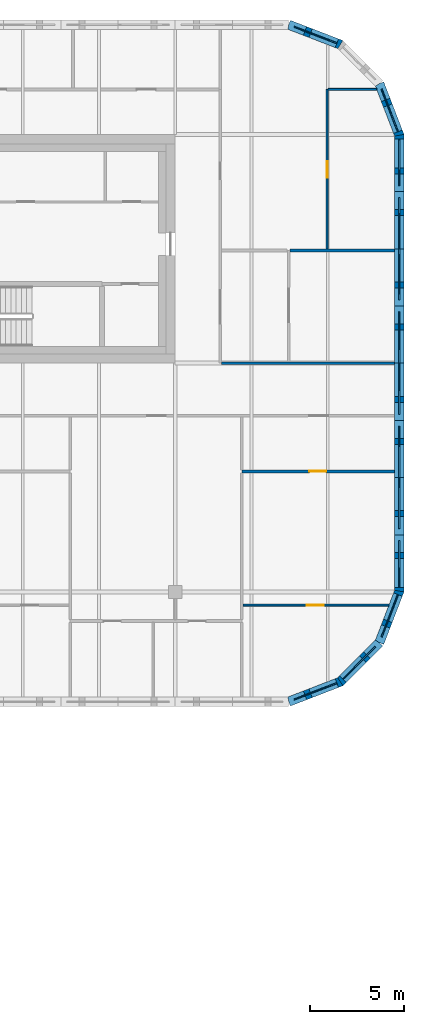
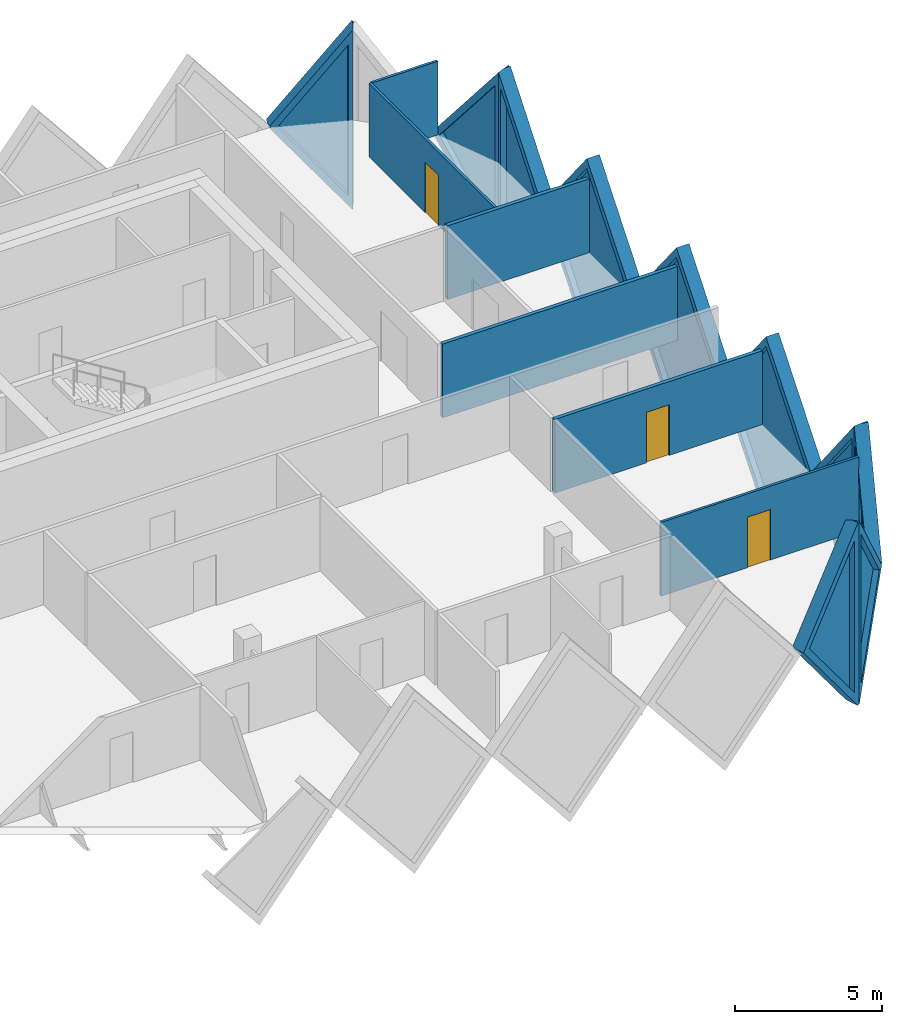
# One storey, part 16 of 19: 16 walls, 10 plates, 3 doors, 13 openings.
"""IFC4 building model written with IfcOpenShell, lengths in metres."""

from ifc_helpers import new_model, si_unit, direction, frame, frame_2d, origin, place, context, subcontext, project, spatial, polyline, rectangle, outline, extrude, faceted_brep, source, transform, mapped, material, layer, layer_set, type_object, element, fill, save


model = new_model("IFC4")

# Units and contexts
model_context = context("Model", 3, precision=1e-05, world=origin(), true_north=direction((0.0, 1.0)))
body_context = subcontext(model_context, "Body", "Model", "MODEL_VIEW")
ifc_project = project(units=[si_unit("LENGTHUNIT", "METRE"), si_unit("AREAUNIT", "SQUARE_METRE"), si_unit("VOLUMEUNIT", "CUBIC_METRE"), si_unit("PLANEANGLEUNIT", "RADIAN"), si_unit("MASSUNIT", "GRAM", prefix="KILO")], contexts=[model_context])

# Site, building, storey
site_placement = place(None, origin())
site = spatial("IfcSite", under=ifc_project, at=site_placement, CompositionType="ELEMENT")
building_placement = place(site_placement, origin())
building = spatial("IfcBuilding", under=site, at=building_placement, Name="Tessera Gate Towers", CompositionType="ELEMENT")
storey_placement = place(building_placement, frame((0.0, 0.0, 72.39990234375)))
storey = spatial("IfcBuildingStorey", under=building, at=storey_placement, Name="L17", CompositionType="ELEMENT", Elevation=72.39990234375)

# Wall
ifc_material_1 = material(Name="Gypsum board on steel studs, mineral wool", Category="steel")
ifc_layer_1 = layer(ifc_material_1, 0.14990234375)
ifc_layer_set_1 = layer_set([ifc_layer_1], Name="CORRIDOR WALL 150")
wall_type_1 = type_object("IfcWallType", Name="CORRIDOR WALL 150", PredefinedType="PARTITIONING", material=ifc_layer_set_1)
wall_1_placement = place(storey_placement, frame((124.47607421875, 36.60009765625, 0.0), z_axis=(0.0, 0.0, 1.0), x_axis=(1.0, 0.0, 0.0)))
element("IfcWall", 1, at=wall_1_placement, inside=storey, type_object=wall_type_1, Name="T2-L17-PW-031", PredefinedType="PARTITIONING", context=body_context, shape_type="SweptSolid", body=[
    extrude(rectangle(XDim=9.223876953125, YDim=0.14990234375, at=frame_2d((4.61181640625, 0.0))), origin(), (0.0, 0.0, 1.0), 3.067138671875),
])

# Wall, opening, door
ifc_material_2 = material(Name="Glass", Category="glass")
ifc_layer_2 = layer(ifc_material_2, 0.10009765625)
ifc_layer_set_2 = layer_set([ifc_layer_2], Name="GLAZED PARTITION 100")
wall_type_2 = type_object("IfcWallType", Name="GLAZED PARTITION 100", PredefinedType="PARTITIONING", material=ifc_layer_set_2)
wall_2_placement = place(storey_placement, frame((130.10009765625, 51.199951171875, 0.0), z_axis=(0.0, 0.0, 1.0), x_axis=(0.0, -1.0, 0.0)))
wall_2 = element("IfcWall", 2, at=wall_2_placement, inside=storey, type_object=wall_type_2, Name="T2-L17-PW-038", PredefinedType="PARTITIONING", context=body_context, shape_type="SweptSolid", body=[
    extrude(rectangle(XDim=8.52392578125, YDim=0.10009765625, at=frame_2d((4.261962890625, 0.0))), origin(), (0.0, 0.0, 1.0), 3.067138671875),
])
shared_shape_1 = source(origin(), body_context, "Body", "SweptSolid", [
    extrude(rectangle(XDim=0.89990234375, YDim=2.10009765625, at=frame_2d((0.449951171875, 1.050048828125))), frame((0.0, 0.06005859375, 0.0), z_axis=(0.0, -1.0, 0.0), x_axis=(1.0, 0.0, 0.0)), (0.0, 0.0, 1.0), 0.1201171875),
])
opening_1_placement = place(wall_2_placement, frame((3.823974609375, 0.0, 0.0)))
opening_1 = element("IfcOpeningElement", 3, at=opening_1_placement, cuts=wall_2, Name="Opening D690-B07-03", PredefinedType="OPENING", context=body_context, shape_type="MappedRepresentation", body=[
    mapped(shared_shape_1, transform((0.0, 0.0, 0.0), scale=1.0)),
])
ifc_material_3 = material(Name="Glass in aluminium frame", Category="aluminium")
door_type_1 = type_object("IfcDoorType", Name="GLAZED DOOR 900 NOT RATED", OperationType="NOTDEFINED", PredefinedType="DOOR", material=ifc_material_3)
shared_shape_2 = source(origin(), body_context, "Body", "SweptSolid", [
    extrude(rectangle(XDim=0.89990234375, YDim=2.10009765625, at=frame_2d((0.449951171875, 1.050048828125))), frame((0.0, 0.02490234375, 0.0), z_axis=(0.0, -1.0, 0.0), x_axis=(1.0, 0.0, 0.0)), (0.0, 0.0, 1.0), 0.050048828125),
])
door_1_placement = place(opening_1_placement, origin())
door_1 = element("IfcDoor", 4, at=door_1_placement, inside=storey, type_object=door_type_1, Name="T2-L17-PD-026", OperationType="SINGLE_SWING_RIGHT", OverallHeight=2.10009765625, OverallWidth=0.89990234375, PredefinedType="DOOR", context=body_context, shape_type="MappedRepresentation", body=[
    mapped(shared_shape_2, transform((0.0, 0.0, 0.0), scale=1.0)),
])
fill(opening_1, door_1)

# Wall
wall_3_placement = place(storey_placement, frame((130.15087890625, 51.199951171875, 0.0), z_axis=(0.0, 0.0, 1.0), x_axis=(1.0, 0.0, 0.0)))
element("IfcWall", 5, at=wall_3_placement, inside=storey, type_object=wall_type_2, Name="T2-L17-PW-048", PredefinedType="PARTITIONING", context=body_context, shape_type="SweptSolid", body=[
    extrude(rectangle(XDim=2.58740234375, YDim=0.10009765625, at=frame_2d((1.293701171875, 0.0))), origin(), (0.0, 0.0, 1.0), 3.067138671875),
])

# Wall, opening, door
ifc_material_4 = material(Name="Gypsum board on steel studs", Category="steel")
ifc_layer_3 = layer(ifc_material_4, 0.10009765625)
ifc_layer_set_3 = layer_set([ifc_layer_3], Name="PARTITION 100")
wall_type_3 = type_object("IfcWallType", Name="PARTITION 100", PredefinedType="PARTITIONING", material=ifc_layer_set_3)
wall_4_placement = place(storey_placement, frame((133.39404296875, 23.699951171875, 0.0), z_axis=(0.0, 0.0, 1.0), x_axis=(-1.0, 0.0, 0.0)))
wall_4 = element("IfcWall", 6, at=wall_4_placement, inside=storey, type_object=wall_type_3, Name="T2-L17-PW-018", PredefinedType="PARTITIONING", context=body_context, shape_type="SweptSolid", body=[
    extrude(rectangle(XDim=7.76806640625, YDim=0.10009765625, at=frame_2d((3.884033203125, 0.0))), origin(), (0.0, 0.0, 1.0), 3.067138671875),
])
opening_2_placement = place(wall_4_placement, frame((3.468017578125, 0.0, 0.0)))
opening_2 = element("IfcOpeningElement", 7, at=opening_2_placement, cuts=wall_4, Name="Opening D190-B07-09", PredefinedType="OPENING", context=body_context, shape_type="MappedRepresentation", body=[
    mapped(shared_shape_1, transform((0.0, 0.0, 0.0), scale=1.0)),
])
ifc_material_5 = material(Name="Timber door leaf in steel frame", Category="steel")
door_type_2 = type_object("IfcDoorType", Name="INTERNAL DOOR 900 NOT RATED", OperationType="NOTDEFINED", PredefinedType="DOOR", material=ifc_material_5)
door_2_placement = place(opening_2_placement, origin())
door_2 = element("IfcDoor", 8, at=door_2_placement, inside=storey, type_object=door_type_2, Name="T2-L17-PD-014", OperationType="SINGLE_SWING_RIGHT", OverallHeight=2.10009765625, OverallWidth=0.89990234375, PredefinedType="DOOR", context=body_context, shape_type="MappedRepresentation", body=[
    mapped(shared_shape_2, transform((0.0, 0.0, 0.0), scale=1.0)),
])
fill(opening_2, door_2)

ifc_material_6 = material(Name="Gypsum board on steel studs, mineral wool", Category="steel")
ifc_layer_4 = layer(ifc_material_6, 0.14990234375)
ifc_layer_set_4 = layer_set([ifc_layer_4], Name="TENANCY WALL 150")
wall_type_4 = type_object("IfcWallType", Name="TENANCY WALL 150", PredefinedType="PARTITIONING", material=ifc_layer_set_4)
wall_5_placement = place(storey_placement, frame((133.699951171875, 30.824951171875, 0.0), z_axis=(0.0, 0.0, 1.0), x_axis=(-1.0, 0.0, 0.0)))
wall_5 = element("IfcWall", 9, at=wall_5_placement, inside=storey, type_object=wall_type_4, Name="T2-L17-PW-023", PredefinedType="PARTITIONING", context=body_context, shape_type="SweptSolid", body=[
    extrude(rectangle(XDim=8.14990234375, YDim=0.14990234375, at=frame_2d((4.074951171875, 0.0))), origin(), (0.0, 0.0, 1.0), 3.067138671875),
])
shared_shape_3 = source(origin(), body_context, "Body", "SweptSolid", [
    extrude(rectangle(XDim=0.89990234375, YDim=2.10009765625, at=frame_2d((0.449951171875, 1.050048828125))), frame((0.0, 0.0849609375, 0.0), z_axis=(0.0, -1.0, 0.0), x_axis=(1.0, 0.0, 0.0)), (0.0, 0.0, 1.0), 0.169921875),
])
opening_3_placement = place(wall_5_placement, frame((3.64990234375, 0.0, 0.0)))
opening_3 = element("IfcOpeningElement", 10, at=opening_3_placement, cuts=wall_5, Name="Opening D190-B07-11", PredefinedType="OPENING", context=body_context, shape_type="MappedRepresentation", body=[
    mapped(shared_shape_3, transform((0.0, 0.0, 0.0), scale=1.0)),
])
door_3_placement = place(opening_3_placement, origin())
door_3 = element("IfcDoor", 11, at=door_3_placement, inside=storey, type_object=door_type_2, Name="T2-L17-PD-019", OperationType="SINGLE_SWING_RIGHT", OverallHeight=2.10009765625, OverallWidth=0.89990234375, PredefinedType="DOOR", context=body_context, shape_type="MappedRepresentation", body=[
    mapped(shared_shape_2, transform((0.0, 0.0, 0.0), scale=1.0)),
])
fill(opening_3, door_3)

# Wall
wall_6_placement = place(storey_placement, frame((128.1259765625, 42.60009765625, 0.0), z_axis=(0.0, 0.0, 1.0), x_axis=(1.0, 0.0, 0.0)))
element("IfcWall", 12, at=wall_6_placement, inside=storey, type_object=wall_type_4, Name="T2-L17-PW-037", PredefinedType="PARTITIONING", context=body_context, shape_type="SweptSolid", body=[
    extrude(rectangle(XDim=5.573974609375, YDim=0.14990234375, at=frame_2d((2.787109375, 0.0))), origin(), (0.0, 0.0, 1.0), 3.067138671875),
])

# Wall, opening, plate
ifc_material_7 = material(Name="Precast concrete C60/75 white", Category="concrete")
ifc_layer_5 = layer(ifc_material_7, 0.5)
ifc_layer_set_5 = layer_set([ifc_layer_5], Name="TS3 corner tessera")
wall_type_5 = type_object("IfcWallType", Name="TS3 corner tessera", PredefinedType="SOLIDWALL", material=ifc_layer_set_5)
shared_shape_4 = source(origin(), body_context, "Body", "Brep", [
    faceted_brep([(0.046630859375, -0.25, 0.0), (3.050048828125, -0.25, 3.7998046875), (0.046630859375, -0.25, 7.599853515625), (0.0, -0.25, 7.539794921875), (0.0, -0.25, 0.06005859375), (0.09326171875, 0.25, 7.541015625), (3.050048828125, 0.25, 3.7998046875), (0.09326171875, 0.25, 0.058837890625), (0.046630859375, 0.0, 0.0), (0.046630859375, 0.0, 7.599853515625)], [[[0, 1, 2, 3, 4]], [[5, 6, 7]], [[7, 6, 1, 0, 8]], [[6, 5, 9, 2, 1]], [[3, 2, 9]], [[8, 0, 4]], [[7, 8, 4, 3, 9, 5]]]),
])
wall_7_placement = place(storey_placement, frame((133.949951171875, 24.39990234375, -3.7998046875), z_axis=(0.0, 0.0, 1.0), x_axis=(0.0, 1.0, 0.0)))
wall_7 = element("IfcWall", 13, at=wall_7_placement, inside=storey, type_object=wall_type_5, Name="Precast corner tessera T2 TS3-0244", PredefinedType="SOLIDWALL", context=body_context, shape_type="MappedRepresentation", body=[
    mapped(shared_shape_4, transform((0.0, 0.0, 0.0), scale=1.0)),
])
shared_shape_5 = source(origin(), body_context, "Body", "SweptSolid", [
    extrude(outline(polyline([(0.24658203125, 0.656005859375), (2.7314453125, 3.7998046875), (0.24658203125, 6.943603515625), (0.24658203125, 0.656005859375)])), frame((0.0, 0.260009765625, 0.0), z_axis=(0.0, -1.0, 0.0), x_axis=(1.0, 0.0, 0.0)), (0.0, 0.0, 1.0), 0.52001953125),
])
opening_4_placement = place(wall_7_placement, origin())
opening_4 = element("IfcOpeningElement", 14, at=opening_4_placement, cuts=wall_7, Name="Opening T2-PL2-0349", PredefinedType="OPENING", context=body_context, shape_type="MappedRepresentation", body=[
    mapped(shared_shape_5, transform((0.0, 0.0, 0.0), scale=1.0)),
])
ifc_material_8 = material(Name="Low-e laminated glass", Category="glass")
ifc_layer_6 = layer(ifc_material_8, 0.06005859375)
ifc_layer_set_6 = layer_set([ifc_layer_6], Name="PL2 rhombic pane")
plate_type = type_object("IfcPlateType", Name="PL2 rhombic pane", PredefinedType="SHEET", material=ifc_layer_set_6)
shared_shape_6 = source(origin(), body_context, "Body", "SweptSolid", [
    extrude(outline(polyline([(0.24658203125, 0.656005859375), (2.7314453125, 3.7998046875), (0.24658203125, 6.943603515625), (0.24658203125, 0.656005859375)])), frame((0.0, 0.030029296875, 0.0), z_axis=(0.0, -1.0, 0.0), x_axis=(1.0, 0.0, 0.0)), (0.0, 0.0, 1.0), 0.06005859375),
])
plate_1_placement = place(opening_4_placement, origin())
plate_1 = element("IfcPlate", 15, at=plate_1_placement, inside=storey, type_object=plate_type, Name="Glass pane T2 PL2-0349", PredefinedType="SHEET", context=body_context, shape_type="MappedRepresentation", body=[
    mapped(shared_shape_6, transform((0.0, 0.0, 0.0), scale=1.0)),
])
fill(opening_4, plate_1)

ifc_material_9 = material(Name="Precast concrete C60/75 white", Category="concrete")
ifc_layer_7 = layer(ifc_material_9, 0.5)
ifc_layer_set_7 = layer_set([ifc_layer_7], Name="TS1 tessera")
wall_type_6 = type_object("IfcWallType", Name="TS1 tessera", PredefinedType="SOLIDWALL", material=ifc_layer_set_7)
shared_shape_7 = source(origin(), body_context, "Body", "Brep", [
    faceted_brep([(3.050048828125, -0.25, 0.0), (6.099853515625, -0.25, 3.799560546875), (6.099853515625, -0.25, 3.800048828125), (3.050048828125, -0.25, 7.599853515625), (0.0, -0.25, 3.7998046875), (0.0, 0.25, 3.7998046875), (3.050048828125, 0.25, 7.599853515625), (6.099853515625, 0.25, 3.800048828125), (6.099853515625, 0.25, 3.799560546875), (3.050048828125, 0.25, 0.0)], [[[0, 1, 2, 3, 4]], [[5, 6, 7, 8, 9]], [[9, 8, 1, 0]], [[7, 6, 3, 2]], [[6, 5, 4, 3]], [[5, 9, 0, 4]], [[1, 8, 7, 2]]]),
])
wall_8_placement = place(storey_placement, frame((133.949951171875, 33.550048828125, -3.7998046875), z_axis=(0.0, 0.0, 1.0), x_axis=(0.0, 1.0, 0.0)))
wall_8 = element("IfcWall", 16, at=wall_8_placement, inside=storey, type_object=wall_type_6, Name="Precast tessera T2 TS1-0187", PredefinedType="SOLIDWALL", context=body_context, shape_type="MappedRepresentation", body=[
    mapped(shared_shape_7, transform((0.0, 0.0, 0.0), scale=1.0)),
])
shared_shape_8 = source(origin(), body_context, "Body", "SweptSolid", [
    extrude(outline(polyline([(3.050048828125, 0.3994140625), (5.779541015625, 3.7998046875), (3.050048828125, 7.200439453125), (0.320556640625, 3.7998046875), (3.050048828125, 0.3994140625)])), frame((0.0, 0.260009765625, 0.0), z_axis=(0.0, -1.0, 0.0), x_axis=(1.0, 0.0, 0.0)), (0.0, 0.0, 1.0), 0.52001953125),
])
opening_5_placement = place(wall_8_placement, origin())
opening_5 = element("IfcOpeningElement", 17, at=opening_5_placement, cuts=wall_8, Name="Opening T2-PL2-0351", PredefinedType="OPENING", context=body_context, shape_type="MappedRepresentation", body=[
    mapped(shared_shape_8, transform((0.0, 0.0, 0.0), scale=1.0)),
])
shared_shape_9 = source(origin(), body_context, "Body", "SweptSolid", [
    extrude(outline(polyline([(3.050048828125, 0.3994140625), (5.779541015625, 3.7998046875), (3.050048828125, 7.200439453125), (0.320556640625, 3.7998046875), (3.050048828125, 0.3994140625)])), frame((0.0, 0.030029296875, 0.0), z_axis=(0.0, -1.0, 0.0), x_axis=(1.0, 0.0, 0.0)), (0.0, 0.0, 1.0), 0.06005859375),
])
plate_2_placement = place(opening_5_placement, origin())
plate_2 = element("IfcPlate", 18, at=plate_2_placement, inside=storey, type_object=plate_type, Name="Glass pane T2 PL2-0351", PredefinedType="SHEET", context=body_context, shape_type="MappedRepresentation", body=[
    mapped(shared_shape_9, transform((0.0, 0.0, 0.0), scale=1.0)),
])
fill(opening_5, plate_2)

shared_shape_10 = source(origin(), body_context, "Body", "SweptSolid", [
    extrude(outline(polyline([(3.050048828125, 0.0), (6.10009765625, 3.7998046875), (3.050048828125, 7.599853515625), (0.0, 3.7998046875), (3.050048828125, 0.0)])), frame((0.0, 0.25, 0.0), z_axis=(0.0, -1.0, 0.0), x_axis=(1.0, 0.0, 0.0)), (0.0, 0.0, 1.0), 0.5),
])
wall_9_placement = place(storey_placement, frame((133.949951171875, 27.449951171875, -3.7998046875), z_axis=(0.0, 0.0, 1.0), x_axis=(0.0, 1.0, 0.0)))
wall_9 = element("IfcWall", 19, at=wall_9_placement, inside=storey, type_object=wall_type_6, Name="Precast tessera T2 TS1-0186", PredefinedType="SOLIDWALL", context=body_context, shape_type="MappedRepresentation", body=[
    mapped(shared_shape_10, transform((0.0, 0.0, 0.0), scale=1.0)),
])
opening_6_placement = place(wall_9_placement, origin())
opening_6 = element("IfcOpeningElement", 20, at=opening_6_placement, cuts=wall_9, Name="Opening T2-PL2-0350", PredefinedType="OPENING", context=body_context, shape_type="MappedRepresentation", body=[
    mapped(shared_shape_8, transform((0.0, 0.0, 0.0), scale=1.0)),
])
plate_3_placement = place(opening_6_placement, origin())
plate_3 = element("IfcPlate", 21, at=plate_3_placement, inside=storey, type_object=plate_type, Name="Glass pane T2 PL2-0350", PredefinedType="SHEET", context=body_context, shape_type="MappedRepresentation", body=[
    mapped(shared_shape_9, transform((0.0, 0.0, 0.0), scale=1.0)),
])
fill(opening_6, plate_3)

wall_10_placement = place(storey_placement, frame((133.949951171875, 39.64990234375, -3.7998046875), z_axis=(0.0, 0.0, 1.0), x_axis=(0.0, 1.0, 0.0)))
wall_10 = element("IfcWall", 22, at=wall_10_placement, inside=storey, type_object=wall_type_6, Name="Precast tessera T2 TS1-0188", PredefinedType="SOLIDWALL", context=body_context, shape_type="MappedRepresentation", body=[
    mapped(shared_shape_10, transform((0.0, 0.0, 0.0), scale=1.0)),
])
opening_7_placement = place(wall_10_placement, origin())
opening_7 = element("IfcOpeningElement", 23, at=opening_7_placement, cuts=wall_10, Name="Opening T2-PL2-0352", PredefinedType="OPENING", context=body_context, shape_type="MappedRepresentation", body=[
    mapped(shared_shape_8, transform((0.0, 0.0, 0.0), scale=1.0)),
])
plate_4_placement = place(opening_7_placement, origin())
plate_4 = element("IfcPlate", 24, at=plate_4_placement, inside=storey, type_object=plate_type, Name="Glass pane T2 PL2-0352", PredefinedType="SHEET", context=body_context, shape_type="MappedRepresentation", body=[
    mapped(shared_shape_9, transform((0.0, 0.0, 0.0), scale=1.0)),
])
fill(opening_7, plate_4)

shared_shape_11 = source(origin(), body_context, "Body", "Brep", [
    faceted_brep([(3.00341796875, -0.25, 0.0), (3.050048828125, -0.25, 0.06005859375), (3.050048828125, -0.25, 7.539794921875), (3.00341796875, -0.25, 7.599853515625), (0.0, -0.25, 3.7998046875), (0.0, 0.25, 3.7998046875), (2.956787109375, 0.25, 7.541015625), (2.956787109375, 0.25, 0.058837890625), (3.00341796875, 0.000244140625, 0.0), (3.00341796875, 0.000244140625, 7.599853515625)], [[[0, 1, 2, 3, 4]], [[5, 6, 7]], [[1, 0, 8]], [[9, 3, 2]], [[6, 5, 4, 3, 9]], [[5, 7, 8, 0, 4]], [[1, 8, 7, 6, 9, 2]]]),
])
wall_11_placement = place(storey_placement, frame((133.949951171875, 45.75, -3.7998046875), z_axis=(0.0, 0.0, 1.0), x_axis=(0.0, 1.0, 0.0)))
wall_11 = element("IfcWall", 25, at=wall_11_placement, inside=storey, type_object=wall_type_5, Name="Precast corner tessera T2 TS3-0245", PredefinedType="SOLIDWALL", context=body_context, shape_type="MappedRepresentation", body=[
    mapped(shared_shape_11, transform((0.0, 0.0, 0.0), scale=1.0)),
])
shared_shape_12 = source(origin(), body_context, "Body", "SweptSolid", [
    extrude(outline(polyline([(2.803466796875, 6.943603515625), (0.318603515625, 3.7998046875), (2.803466796875, 0.656005859375), (2.803466796875, 6.943603515625)])), frame((0.0, 0.260009765625, 0.0), z_axis=(0.0, -1.0, 0.0), x_axis=(1.0, 0.0, 0.0)), (0.0, 0.0, 1.0), 0.52001953125),
])
opening_8_placement = place(wall_11_placement, origin())
opening_8 = element("IfcOpeningElement", 26, at=opening_8_placement, cuts=wall_11, Name="Opening T2-PL2-0353", PredefinedType="OPENING", context=body_context, shape_type="MappedRepresentation", body=[
    mapped(shared_shape_12, transform((0.0, 0.0, 0.0), scale=1.0)),
])
shared_shape_13 = source(origin(), body_context, "Body", "SweptSolid", [
    extrude(outline(polyline([(2.803466796875, 6.943603515625), (0.318603515625, 3.7998046875), (2.803466796875, 0.656005859375), (2.803466796875, 6.943603515625)])), frame((0.0, 0.030029296875, 0.0), z_axis=(0.0, -1.0, 0.0), x_axis=(1.0, 0.0, 0.0)), (0.0, 0.0, 1.0), 0.06005859375),
])
plate_5_placement = place(opening_8_placement, origin())
plate_5 = element("IfcPlate", 27, at=plate_5_placement, inside=storey, type_object=plate_type, Name="Glass pane T2 PL2-0353", PredefinedType="SHEET", context=body_context, shape_type="MappedRepresentation", body=[
    mapped(shared_shape_13, transform((0.0, 0.0, 0.0), scale=1.0)),
])
fill(opening_8, plate_5)

shared_shape_14 = source(origin(), body_context, "Body", "Brep", [
    faceted_brep([(0.046630859375, -0.25, 0.0), (2.9970703125, -0.25, 3.7998046875), (0.046630859375, -0.25, 7.599853515625), (0.0, -0.25, 7.541015625), (0.0, -0.25, 0.058837890625), (0.09326171875, 0.25, 7.539794921875), (2.9443359375, 0.25, 3.867919921875), (2.9443359375, 0.25, 3.731689453125), (0.09326171875, 0.25, 0.06005859375), (2.9970703125, 0.00048828125, 3.7998046875), (0.046630859375, 0.0, 0.0), (0.046630859375, 0.0, 7.599853515625)], [[[0, 1, 2, 3, 4]], [[5, 6, 7, 8]], [[8, 7, 9, 1, 0, 10]], [[6, 5, 11, 2, 1, 9]], [[3, 2, 11]], [[10, 0, 4]], [[8, 10, 4, 3, 11, 5]], [[9, 7, 6]]]),
])
wall_12_placement = place(storey_placement, frame((133.966796875, 48.7099609375, -3.7998046875), z_axis=(0.0, 0.0, 1.0), x_axis=(-0.359901446078, 0.932990326376, 0.0)))
wall_12 = element("IfcWall", 28, at=wall_12_placement, inside=storey, type_object=wall_type_5, Name="Precast corner tessera T2 TS3-0246", PredefinedType="SOLIDWALL", context=body_context, shape_type="MappedRepresentation", body=[
    mapped(shared_shape_14, transform((0.0, 0.0, 0.0), scale=1.0)),
])
shared_shape_15 = source(origin(), body_context, "Body", "SweptSolid", [
    extrude(outline(polyline([(0.24658203125, 0.6650390625), (2.6806640625, 3.7998046875), (0.24658203125, 6.9345703125), (0.24658203125, 0.6650390625)])), frame((0.0, 0.260009765625, 0.0), z_axis=(0.0, -1.0, 0.0), x_axis=(1.0, 0.0, 0.0)), (0.0, 0.0, 1.0), 0.52001953125),
])
opening_9_placement = place(wall_12_placement, origin())
opening_9 = element("IfcOpeningElement", 29, at=opening_9_placement, cuts=wall_12, Name="Opening T2-PL2-0354", PredefinedType="OPENING", context=body_context, shape_type="MappedRepresentation", body=[
    mapped(shared_shape_15, transform((0.0, 0.0, 0.0), scale=1.0)),
])
shared_shape_16 = source(origin(), body_context, "Body", "SweptSolid", [
    extrude(outline(polyline([(0.24658203125, 0.6650390625), (2.6806640625, 3.7998046875), (0.24658203125, 6.9345703125), (0.24658203125, 0.6650390625)])), frame((0.0, 0.030029296875, 0.0), z_axis=(0.0, -1.0, 0.0), x_axis=(1.0, 0.0, 0.0)), (0.0, 0.0, 1.0), 0.06005859375),
])
plate_6_placement = place(opening_9_placement, origin())
plate_6 = element("IfcPlate", 30, at=plate_6_placement, inside=storey, type_object=plate_type, Name="Glass pane T2 PL2-0354", PredefinedType="SHEET", context=body_context, shape_type="MappedRepresentation", body=[
    mapped(shared_shape_16, transform((0.0, 0.0, 0.0), scale=1.0)),
])
fill(opening_9, plate_6)

shared_shape_17 = source(origin(), body_context, "Body", "Brep", [
    faceted_brep([(2.950439453125, -0.25, 0.0), (2.9970703125, -0.25, 0.05908203125), (2.9970703125, -0.25, 7.540771484375), (2.950439453125, -0.25, 7.599853515625), (0.0, -0.25, 3.7998046875), (0.052978515625, 0.25, 3.867919921875), (2.904052734375, 0.25, 7.5400390625), (2.904052734375, 0.25, 0.059814453125), (0.052978515625, 0.25, 3.731689453125), (2.950439453125, 0.00048828125, 0.0), (2.950439453125, 0.00048828125, 7.599853515625), (0.0, 0.0, 3.7998046875)], [[[0, 1, 2, 3, 4]], [[5, 6, 7, 8]], [[1, 0, 9]], [[10, 3, 2]], [[6, 5, 11, 4, 3, 10]], [[8, 7, 9, 0, 4, 11]], [[8, 11, 5]], [[1, 9, 7, 6, 10, 2]]]),
])
wall_13_placement = place(storey_placement, frame((132.88818359375, 21.69384765625, -3.7998046875), z_axis=(0.0, 0.0, 1.0), x_axis=(0.359901446078, 0.932990326376, 0.0)))
wall_13 = element("IfcWall", 31, at=wall_13_placement, inside=storey, type_object=wall_type_5, Name="Precast corner tessera T2 TS3-0243", PredefinedType="SOLIDWALL", context=body_context, shape_type="MappedRepresentation", body=[
    mapped(shared_shape_17, transform((0.0, 0.0, 0.0), scale=1.0)),
])
shared_shape_18 = source(origin(), body_context, "Body", "SweptSolid", [
    extrude(outline(polyline([(2.75048828125, 6.9345703125), (0.31640625, 3.7998046875), (2.75048828125, 0.6650390625), (2.75048828125, 6.9345703125)])), frame((0.0, 0.260009765625, 0.0), z_axis=(0.0, -1.0, 0.0), x_axis=(1.0, 0.0, 0.0)), (0.0, 0.0, 1.0), 0.52001953125),
])
opening_10_placement = place(wall_13_placement, origin())
opening_10 = element("IfcOpeningElement", 32, at=opening_10_placement, cuts=wall_13, Name="Opening T2-PL2-0348", PredefinedType="OPENING", context=body_context, shape_type="MappedRepresentation", body=[
    mapped(shared_shape_18, transform((0.0, 0.0, 0.0), scale=1.0)),
])
shared_shape_19 = source(origin(), body_context, "Body", "SweptSolid", [
    extrude(outline(polyline([(2.75048828125, 6.9345703125), (0.31640625, 3.7998046875), (2.75048828125, 0.6650390625), (2.75048828125, 6.9345703125)])), frame((0.0, 0.030029296875, 0.0), z_axis=(0.0, -1.0, 0.0), x_axis=(1.0, 0.0, 0.0)), (0.0, 0.0, 1.0), 0.06005859375),
])
plate_7_placement = place(opening_10_placement, origin())
plate_7 = element("IfcPlate", 33, at=plate_7_placement, inside=storey, type_object=plate_type, Name="Glass pane T2 PL2-0348", PredefinedType="SHEET", context=body_context, shape_type="MappedRepresentation", body=[
    mapped(shared_shape_19, transform((0.0, 0.0, 0.0), scale=1.0)),
])
fill(opening_10, plate_7)

shared_shape_20 = source(origin(), body_context, "Body", "Brep", [
    faceted_brep([(2.950439453125, -0.25, 0.0), (3.00341796875, -0.25, 0.068359375), (3.00341796875, -0.25, 7.531494140625), (2.950439453125, -0.25, 7.599853515625), (0.0, -0.25, 3.7998046875), (0.046630859375, 0.25, 3.85986328125), (2.897705078125, 0.25, 7.53173828125), (2.897705078125, 0.25, 0.068115234375), (0.046630859375, 0.25, 3.73974609375), (2.950439453125, 0.00048828125, 0.0), (2.950439453125, 0.00048828125, 7.599853515625), (0.0, 0.0, 3.7998046875)], [[[0, 1, 2, 3, 4]], [[5, 6, 7, 8]], [[1, 0, 9]], [[10, 3, 2]], [[6, 5, 11, 4, 3, 10]], [[8, 7, 9, 0, 4, 11]], [[8, 11, 5]], [[1, 9, 7, 6, 10, 2]]]),
])
wall_14_placement = place(storey_placement, frame((128.053466796875, 18.550048828125, -3.7998046875), z_axis=(0.0, 0.0, 1.0), x_axis=(0.933007896601, 0.359855894603, 0.0)))
wall_14 = element("IfcWall", 34, at=wall_14_placement, inside=storey, type_object=wall_type_5, Name="Precast corner tessera T2 TS3-0241", PredefinedType="SOLIDWALL", context=body_context, shape_type="MappedRepresentation", body=[
    mapped(shared_shape_20, transform((0.0, 0.0, 0.0), scale=1.0)),
])
opening_11_placement = place(wall_14_placement, origin())
opening_11 = element("IfcOpeningElement", 35, at=opening_11_placement, cuts=wall_14, Name="Opening T2-PL2-0346", PredefinedType="OPENING", context=body_context, shape_type="MappedRepresentation", body=[
    mapped(shared_shape_18, transform((0.0, 0.0, 0.0), scale=1.0)),
])
plate_8_placement = place(opening_11_placement, origin())
plate_8 = element("IfcPlate", 36, at=plate_8_placement, inside=storey, type_object=plate_type, Name="Glass pane T2 PL2-0346", PredefinedType="SHEET", context=body_context, shape_type="MappedRepresentation", body=[
    mapped(shared_shape_19, transform((0.0, 0.0, 0.0), scale=1.0)),
])
fill(opening_11, plate_8)

shared_shape_21 = source(origin(), body_context, "Body", "Brep", [
    faceted_brep([(0.052978515625, -0.25, 0.0), (2.9970703125, -0.25, 3.7998046875), (0.052978515625, -0.25, 7.599853515625), (0.0, -0.25, 7.53173828125), (0.0, -0.25, 0.068115234375), (0.10595703125, 0.25, 7.531494140625), (2.944091796875, 0.25, 3.867919921875), (2.944091796875, 0.25, 3.731689453125), (0.10595703125, 0.25, 0.068359375), (2.9970703125, 0.000244140625, 3.7998046875), (0.052978515625, 0.0, 0.0), (0.052978515625, 0.0, 7.599853515625)], [[[0, 1, 2, 3, 4]], [[5, 6, 7, 8]], [[8, 7, 9, 1, 0, 10]], [[6, 5, 11, 2, 1, 9]], [[3, 2, 11]], [[10, 0, 4]], [[8, 10, 4, 3, 11, 5]], [[9, 7, 6]]]),
])
wall_15_placement = place(storey_placement, frame((130.768798828125, 19.574462890625, -3.7998046875), z_axis=(0.0, 0.0, 1.0), x_axis=(0.707106781187, 0.707106781187, 0.0)))
wall_15 = element("IfcWall", 37, at=wall_15_placement, inside=storey, type_object=wall_type_5, Name="Precast corner tessera T2 TS3-0242", PredefinedType="SOLIDWALL", context=body_context, shape_type="MappedRepresentation", body=[
    mapped(shared_shape_21, transform((0.0, 0.0, 0.0), scale=1.0)),
])
shared_shape_22 = source(origin(), body_context, "Body", "SweptSolid", [
    extrude(outline(polyline([(0.2529296875, 0.666259765625), (2.680908203125, 3.7998046875), (0.2529296875, 6.93359375), (0.2529296875, 0.666259765625)])), frame((0.0, 0.260009765625, 0.0), z_axis=(0.0, -1.0, 0.0), x_axis=(1.0, 0.0, 0.0)), (0.0, 0.0, 1.0), 0.52001953125),
])
opening_12_placement = place(wall_15_placement, origin())
opening_12 = element("IfcOpeningElement", 38, at=opening_12_placement, cuts=wall_15, Name="Opening T2-PL2-0347", PredefinedType="OPENING", context=body_context, shape_type="MappedRepresentation", body=[
    mapped(shared_shape_22, transform((0.0, 0.0, 0.0), scale=1.0)),
])
shared_shape_23 = source(origin(), body_context, "Body", "SweptSolid", [
    extrude(outline(polyline([(0.2529296875, 0.666259765625), (2.680908203125, 3.7998046875), (0.2529296875, 6.93359375), (0.2529296875, 0.666259765625)])), frame((0.0, 0.030029296875, 0.0), z_axis=(0.0, -1.0, 0.0), x_axis=(1.0, 0.0, 0.0)), (0.0, 0.0, 1.0), 0.06005859375),
])
plate_9_placement = place(opening_12_placement, origin())
plate_9 = element("IfcPlate", 39, at=plate_9_placement, inside=storey, type_object=plate_type, Name="Glass pane T2 PL2-0347", PredefinedType="SHEET", context=body_context, shape_type="MappedRepresentation", body=[
    mapped(shared_shape_23, transform((0.0, 0.0, 0.0), scale=1.0)),
])
fill(opening_12, plate_9)

shared_shape_24 = source(origin(), body_context, "Body", "Brep", [
    faceted_brep([(0.052978515625, -0.25, 0.0), (3.00341796875, -0.25, 3.7998046875), (0.052978515625, -0.25, 7.599853515625), (0.0, -0.25, 7.531494140625), (0.0, -0.25, 0.068359375), (0.10595703125, 0.25, 7.53173828125), (2.95703125, 0.25, 3.859619140625), (2.95703125, 0.25, 3.739990234375), (0.10595703125, 0.25, 0.068115234375), (3.00341796875, 0.00048828125, 3.7998046875), (0.052978515625, 0.0, 0.0), (0.052978515625, 0.0, 7.599853515625)], [[[0, 1, 2, 3, 4]], [[5, 6, 7, 8]], [[8, 7, 9, 1, 0, 10]], [[6, 5, 11, 2, 1, 9]], [[3, 2, 11]], [[10, 0, 4]], [[8, 10, 4, 3, 11, 5]], [[9, 7, 6]]]),
])
wall_16_placement = place(storey_placement, frame((130.855712890625, 53.569091796875, -3.7998046875), z_axis=(0.0, 0.0, 1.0), x_axis=(-0.933007896601, 0.359855894603, 0.0)))
wall_16 = element("IfcWall", 40, at=wall_16_placement, inside=storey, type_object=wall_type_5, Name="Precast corner tessera T2 TS3-0248", PredefinedType="SOLIDWALL", context=body_context, shape_type="MappedRepresentation", body=[
    mapped(shared_shape_24, transform((0.0, 0.0, 0.0), scale=1.0)),
])
shared_shape_25 = source(origin(), body_context, "Body", "SweptSolid", [
    extrude(outline(polyline([(0.2529296875, 0.6650390625), (2.68701171875, 3.7998046875), (0.2529296875, 6.9345703125), (0.2529296875, 0.6650390625)])), frame((0.0, 0.260009765625, 0.0), z_axis=(0.0, -1.0, 0.0), x_axis=(1.0, 0.0, 0.0)), (0.0, 0.0, 1.0), 0.52001953125),
])
opening_13_placement = place(wall_16_placement, origin())
opening_13 = element("IfcOpeningElement", 41, at=opening_13_placement, cuts=wall_16, Name="Opening T2-PL2-0356", PredefinedType="OPENING", context=body_context, shape_type="MappedRepresentation", body=[
    mapped(shared_shape_25, transform((0.0, 0.0, 0.0), scale=1.0)),
])
shared_shape_26 = source(origin(), body_context, "Body", "SweptSolid", [
    extrude(outline(polyline([(0.2529296875, 0.6650390625), (2.68701171875, 3.7998046875), (0.2529296875, 6.9345703125), (0.2529296875, 0.6650390625)])), frame((0.0, 0.030029296875, 0.0), z_axis=(0.0, -1.0, 0.0), x_axis=(1.0, 0.0, 0.0)), (0.0, 0.0, 1.0), 0.06005859375),
])
plate_10_placement = place(opening_13_placement, origin())
plate_10 = element("IfcPlate", 42, at=plate_10_placement, inside=storey, type_object=plate_type, Name="Glass pane T2 PL2-0356", PredefinedType="SHEET", context=body_context, shape_type="MappedRepresentation", body=[
    mapped(shared_shape_26, transform((0.0, 0.0, 0.0), scale=1.0)),
])
fill(opening_13, plate_10)

save(model, "model.ifc")
